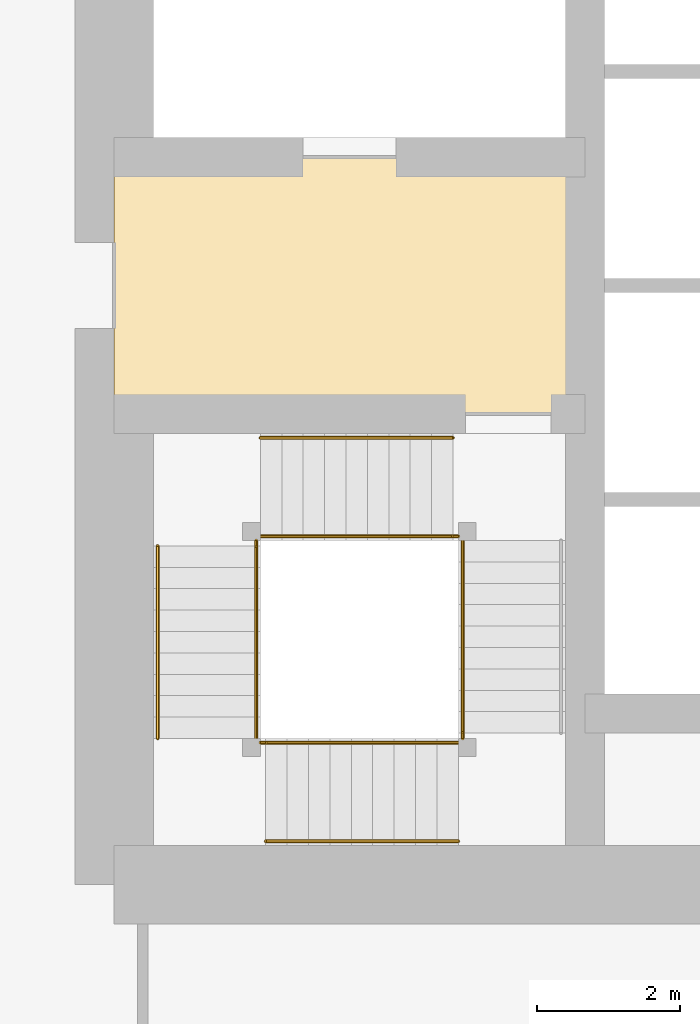
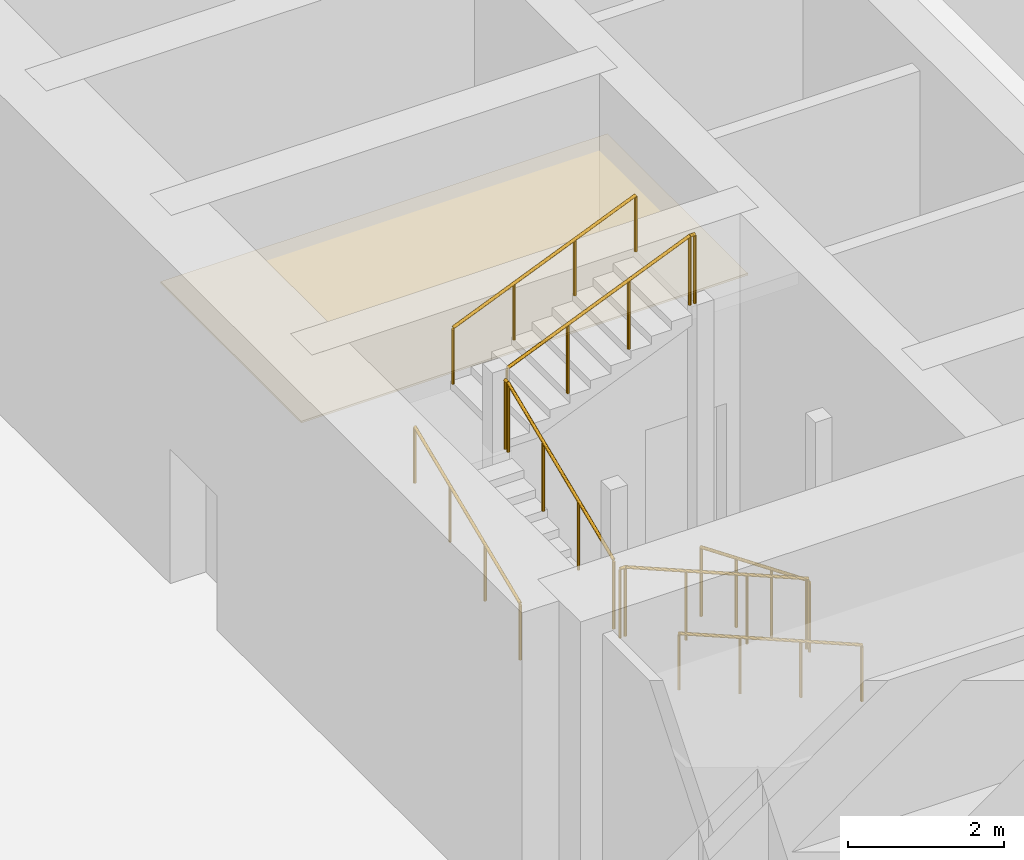
# One storey, part 41 of 48: 11 railings, 1 covering.
"""IFC4 building model written with IfcOpenShell, lengths in metres."""

from ifc_helpers import new_model, si_unit, direction, frame, origin, origin_2d, place, context, subcontext, project, spatial, polyline, circle, outline, extrude, material, layer, layer_set, type_object, element, save


model = new_model("IFC4")

# Units and contexts
model_context = context("Model", 3, precision=1e-05, world=origin(), true_north=direction((0.0, 1.0)))
body_context = subcontext(model_context, "Body", "Model", "MODEL_VIEW")
ifc_project = project(units=[si_unit("LENGTHUNIT", "METRE"), si_unit("AREAUNIT", "SQUARE_METRE"), si_unit("VOLUMEUNIT", "CUBIC_METRE"), si_unit("PLANEANGLEUNIT", "RADIAN"), si_unit("MASSUNIT", "GRAM", prefix="KILO")], contexts=[model_context])

# Site, building, storey
site_placement = place(None, origin())
site = spatial("IfcSite", under=ifc_project, at=site_placement, CompositionType="ELEMENT")
building_placement = place(site_placement, origin())
building = spatial("IfcBuilding", under=site, at=building_placement, Name="Rekha Terrace Tower", CompositionType="ELEMENT")
storey_placement = place(building_placement, frame((0.0, 0.0, 15.39990234375)))
storey = spatial("IfcBuildingStorey", under=building, at=storey_placement, Name="L03", CompositionType="ELEMENT", Elevation=15.39990234375)

# Covering
ifc_material_1 = material(Name="Powder-coated aluminium pan", Category="aluminium")
ifc_layer = layer(ifc_material_1, 0.030029296875)
ifc_layer_set = layer_set([ifc_layer], Name="Powder-coated aluminium pan")
covering_type = type_object("IfcCoveringType", Name="CL3 300x1200 metal pan ceiling", PredefinedType="CEILING", material=ifc_layer_set)
covering_placement = place(storey_placement, frame((0.0, 0.0, 3.77001953125)))
element("IfcCovering", 1, at=covering_placement, inside=storey, type_object=covering_type, Name="Ceiling L03-FLB1", PredefinedType="CEILING", context=body_context, shape_type="SweptSolid", body=[
    extrude(outline(polyline([(31.800048828125, 31.199951171875), (25.199951171875, 31.199951171875), (25.199951171875, 27.60009765625), (31.800048828125, 27.60009765625), (31.800048828125, 31.199951171875)])), origin(), (0.0, 0.0, 1.0), 0.030029296875),
])

# Railings
ifc_material_2 = material(Name="Stainless steel balustrade", Category="steel")
railing_type_1 = type_object("IfcRailingType", Name="GR1 1100 stair guard", PredefinedType="GUARDRAIL", material=ifc_material_2)
railing_1_placement = place(storey_placement, frame((30.0849609375, 25.824951171875, 0.125)))
element("IfcRailing", 2, at=railing_1_placement, inside=storey, type_object=railing_type_1, Name="Guard ST1 L03 flight 1", PredefinedType="GUARDRAIL", context=body_context, shape_type="SweptSolid", body=[
    extrude(circle(Radius=0.02392578125, at=origin_2d()), frame((0.0, 0.0, 1.076171875), z_axis=(0.0, -0.923074453586, 0.384621311341), x_axis=(1.0, 0.0, 0.0)), (0.0, 0.0, 1.0), 2.925048828125),
    extrude(circle(Radius=0.02099609375, at=origin_2d()), origin(), (0.0, 0.0, 1.0), 1.052001953125),
    extrude(circle(Radius=0.02099609375, at=origin_2d()), frame((0.0, -0.89990234375, 0.375)), (0.0, 0.0, 1.0), 1.052001953125),
    extrude(circle(Radius=0.02099609375, at=origin_2d()), frame((0.0, -1.800048828125, 0.75)), (0.0, 0.0, 1.0), 1.052001953125),
    extrude(circle(Radius=0.02099609375, at=origin_2d()), frame((0.0, -2.699951171875, 1.125)), (0.0, 0.0, 1.0), 1.052001953125),
])
railing_2_placement = place(storey_placement, frame((30.02490234375, 22.989990234375, 1.375)))
element("IfcRailing", 3, at=railing_2_placement, inside=storey, type_object=railing_type_1, Name="Guard ST1 L03 flight 2", PredefinedType="GUARDRAIL", context=body_context, shape_type="SweptSolid", body=[
    extrude(circle(Radius=0.02392578125, at=origin_2d()), frame((0.0, 0.0, 1.076171875), z_axis=(-0.923074453586, 0.0, 0.384621311341), x_axis=(0.0, -1.0, 0.0)), (0.0, 0.0, 1.0), 2.925048828125),
    extrude(circle(Radius=0.02099609375, at=origin_2d()), origin(), (0.0, 0.0, 1.0), 1.052001953125),
    extrude(circle(Radius=0.02099609375, at=origin_2d()), frame((-0.89990234375, 0.0, 0.375)), (0.0, 0.0, 1.0), 1.052001953125),
    extrude(circle(Radius=0.02099609375, at=origin_2d()), frame((-1.800048828125, 0.0, 0.75)), (0.0, 0.0, 1.0), 1.052001953125),
    extrude(circle(Radius=0.02099609375, at=origin_2d()), frame((-2.699951171875, 0.0, 1.125)), (0.0, 0.0, 1.0), 1.052001953125),
])
railing_3_placement = place(storey_placement, frame((27.18994140625, 23.050048828125, 2.625)))
element("IfcRailing", 4, at=railing_3_placement, inside=storey, type_object=railing_type_1, Name="Guard ST1 L03 flight 3", PredefinedType="GUARDRAIL", context=body_context, shape_type="SweptSolid", body=[
    extrude(circle(Radius=0.02392578125, at=origin_2d()), frame((0.0, 0.0, 1.076171875), z_axis=(0.0, 0.923074453586, 0.384621311341), x_axis=(-1.0, 0.0, 0.0)), (0.0, 0.0, 1.0), 2.925048828125),
    extrude(circle(Radius=0.02099609375, at=origin_2d()), origin(), (0.0, 0.0, 1.0), 1.052001953125),
    extrude(circle(Radius=0.02099609375, at=origin_2d()), frame((0.0, 0.89990234375, 0.375)), (0.0, 0.0, 1.0), 1.052001953125),
    extrude(circle(Radius=0.02099609375, at=origin_2d()), frame((0.0, 1.800048828125, 0.75)), (0.0, 0.0, 1.0), 1.052001953125),
    extrude(circle(Radius=0.02099609375, at=origin_2d()), frame((0.0, 2.699951171875, 1.125)), (0.0, 0.0, 1.0), 1.052001953125),
])
railing_4_placement = place(storey_placement, frame((27.25, 25.885009765625, 3.875)))
element("IfcRailing", 5, at=railing_4_placement, inside=storey, type_object=railing_type_1, Name="Guard ST1 L03 flight 4", PredefinedType="GUARDRAIL", context=body_context, shape_type="SweptSolid", body=[
    extrude(circle(Radius=0.02392578125, at=origin_2d()), frame((0.0, 0.0, 1.076171875), z_axis=(0.923074453586, 0.0, 0.384621311341), x_axis=(0.0, 1.0, 0.0)), (0.0, 0.0, 1.0), 2.925048828125),
    extrude(circle(Radius=0.02099609375, at=origin_2d()), origin(), (0.0, 0.0, 1.0), 1.052001953125),
    extrude(circle(Radius=0.02099609375, at=origin_2d()), frame((0.89990234375, 0.0, 0.375)), (0.0, 0.0, 1.0), 1.052001953125),
    extrude(circle(Radius=0.02099609375, at=origin_2d()), frame((1.800048828125, 0.0, 0.75)), (0.0, 0.0, 1.0), 1.052001953125),
    extrude(circle(Radius=0.02099609375, at=origin_2d()), frame((2.699951171875, 0.0, 1.125)), (0.0, 0.0, 1.0), 1.052001953125),
])
railing_5_placement = place(storey_placement, frame((30.0849609375, 23.125, 1.25)))
element("IfcRailing", 6, at=railing_5_placement, inside=storey, type_object=railing_type_1, Name="Guard ST1 L03 landing 1", PredefinedType="GUARDRAIL", context=body_context, shape_type="SweptSolid", body=[
    extrude(circle(Radius=0.02392578125, at=origin_2d()), frame((0.0, 0.0, 1.076171875), z_axis=(0.0, -1.0, 0.0), x_axis=(1.0, 0.0, 0.0)), (0.0, 0.0, 1.0), 0.074951171875),
    extrude(circle(Radius=0.02099609375, at=origin_2d()), origin(), (0.0, 0.0, 1.0), 1.052001953125),
    extrude(circle(Radius=0.02099609375, at=origin_2d()), frame((0.0, -0.074951171875, 0.0)), (0.0, 0.0, 1.0), 1.052001953125),
])
railing_6_placement = place(storey_placement, frame((27.324951171875, 22.989990234375, 2.5)))
element("IfcRailing", 7, at=railing_6_placement, inside=storey, type_object=railing_type_1, Name="Guard ST1 L03 landing 2", PredefinedType="GUARDRAIL", context=body_context, shape_type="SweptSolid", body=[
    extrude(circle(Radius=0.02392578125, at=origin_2d()), frame((0.0, 0.0, 1.076171875), z_axis=(-1.0, 0.0, 0.0), x_axis=(0.0, -1.0, 0.0)), (0.0, 0.0, 1.0), 0.074951171875),
    extrude(circle(Radius=0.02099609375, at=origin_2d()), origin(), (0.0, 0.0, 1.0), 1.052001953125),
    extrude(circle(Radius=0.02099609375, at=origin_2d()), frame((-0.074951171875, 0.0, 0.0)), (0.0, 0.0, 1.0), 1.052001953125),
])
railing_7_placement = place(storey_placement, frame((27.18994140625, 25.824951171875, 3.75)))
element("IfcRailing", 8, at=railing_7_placement, inside=storey, type_object=railing_type_1, Name="Guard ST1 L03 landing 3", PredefinedType="GUARDRAIL", context=body_context, shape_type="SweptSolid", body=[
    extrude(circle(Radius=0.02392578125, at=origin_2d()), frame((0.0, 0.0, 1.076171875), z_axis=(0.0, -1.0, 0.0), x_axis=(1.0, 0.0, 0.0)), (0.0, 0.0, 1.0), 0.074951171875),
    extrude(circle(Radius=0.02099609375, at=origin_2d()), origin(), (0.0, 0.0, 1.0), 1.052001953125),
    extrude(circle(Radius=0.02099609375, at=origin_2d()), frame((0.0, -0.074951171875, 0.0)), (0.0, 0.0, 1.0), 1.052001953125),
])
railing_8_placement = place(storey_placement, frame((30.02490234375, 25.885009765625, 5.0)))
element("IfcRailing", 9, at=railing_8_placement, inside=storey, type_object=railing_type_1, Name="Guard ST1 L03 landing 4", PredefinedType="GUARDRAIL", context=body_context, shape_type="SweptSolid", body=[
    extrude(circle(Radius=0.02392578125, at=origin_2d()), frame((0.0, 0.0, 1.076171875), z_axis=(-1.0, 0.0, 0.0), x_axis=(0.0, -1.0, 0.0)), (0.0, 0.0, 1.0), 0.074951171875),
    extrude(circle(Radius=0.02099609375, at=origin_2d()), origin(), (0.0, 0.0, 1.0), 1.052001953125),
    extrude(circle(Radius=0.02099609375, at=origin_2d()), frame((-0.074951171875, 0.0, 0.0)), (0.0, 0.0, 1.0), 1.052001953125),
])
ifc_material_3 = material(Name="Stainless steel tube", Category="steel")
railing_type_2 = type_object("IfcRailingType", Name="HR1 900 stair handrail", PredefinedType="HANDRAIL", material=ifc_material_3)
railing_9_placement = place(storey_placement, frame((30.02490234375, 21.610107421875, 1.375)))
element("IfcRailing", 10, at=railing_9_placement, inside=storey, type_object=railing_type_2, Name="Handrail ST1 L03 flight 2", PredefinedType="HANDRAIL", context=body_context, shape_type="SweptSolid", body=[
    extrude(circle(Radius=0.02392578125, at=origin_2d()), frame((0.0, 0.0, 0.8759765625), z_axis=(-0.923074453586, 0.0, 0.384621311341), x_axis=(0.0, -1.0, 0.0)), (0.0, 0.0, 1.0), 2.925048828125),
    extrude(circle(Radius=0.02099609375, at=origin_2d()), origin(), (0.0, 0.0, 1.0), 0.851806640625),
    extrude(circle(Radius=0.02099609375, at=origin_2d()), frame((-0.89990234375, 0.0, 0.375)), (0.0, 0.0, 1.0), 0.851806640625),
    extrude(circle(Radius=0.02099609375, at=origin_2d()), frame((-1.800048828125, 0.0, 0.75)), (0.0, 0.0, 1.0), 0.851806640625),
    extrude(circle(Radius=0.02099609375, at=origin_2d()), frame((-2.699951171875, 0.0, 1.125)), (0.0, 0.0, 1.0), 0.851806640625),
])
railing_10_placement = place(storey_placement, frame((25.81005859375, 23.050048828125, 2.625)))
element("IfcRailing", 11, at=railing_10_placement, inside=storey, type_object=railing_type_2, Name="Handrail ST1 L03 flight 3", PredefinedType="HANDRAIL", context=body_context, shape_type="SweptSolid", body=[
    extrude(circle(Radius=0.02392578125, at=origin_2d()), frame((0.0, 0.0, 0.8759765625), z_axis=(0.0, 0.923074453586, 0.384621311341), x_axis=(-1.0, 0.0, 0.0)), (0.0, 0.0, 1.0), 2.925048828125),
    extrude(circle(Radius=0.02099609375, at=origin_2d()), origin(), (0.0, 0.0, 1.0), 0.851806640625),
    extrude(circle(Radius=0.02099609375, at=origin_2d()), frame((0.0, 0.89990234375, 0.375)), (0.0, 0.0, 1.0), 0.851806640625),
    extrude(circle(Radius=0.02099609375, at=origin_2d()), frame((0.0, 1.800048828125, 0.75)), (0.0, 0.0, 1.0), 0.851806640625),
    extrude(circle(Radius=0.02099609375, at=origin_2d()), frame((0.0, 2.699951171875, 1.125)), (0.0, 0.0, 1.0), 0.851806640625),
])
railing_11_placement = place(storey_placement, frame((27.25, 27.264892578125, 3.875)))
element("IfcRailing", 12, at=railing_11_placement, inside=storey, type_object=railing_type_2, Name="Handrail ST1 L03 flight 4", PredefinedType="HANDRAIL", context=body_context, shape_type="SweptSolid", body=[
    extrude(circle(Radius=0.02392578125, at=origin_2d()), frame((0.0, 0.0, 0.8759765625), z_axis=(0.923074453586, 0.0, 0.384621311341), x_axis=(0.0, 1.0, 0.0)), (0.0, 0.0, 1.0), 2.925048828125),
    extrude(circle(Radius=0.02099609375, at=origin_2d()), origin(), (0.0, 0.0, 1.0), 0.851806640625),
    extrude(circle(Radius=0.02099609375, at=origin_2d()), frame((0.89990234375, 0.0, 0.375)), (0.0, 0.0, 1.0), 0.851806640625),
    extrude(circle(Radius=0.02099609375, at=origin_2d()), frame((1.800048828125, 0.0, 0.75)), (0.0, 0.0, 1.0), 0.851806640625),
    extrude(circle(Radius=0.02099609375, at=origin_2d()), frame((2.699951171875, 0.0, 1.125)), (0.0, 0.0, 1.0), 0.851806640625),
])

save(model, "model.ifc")
